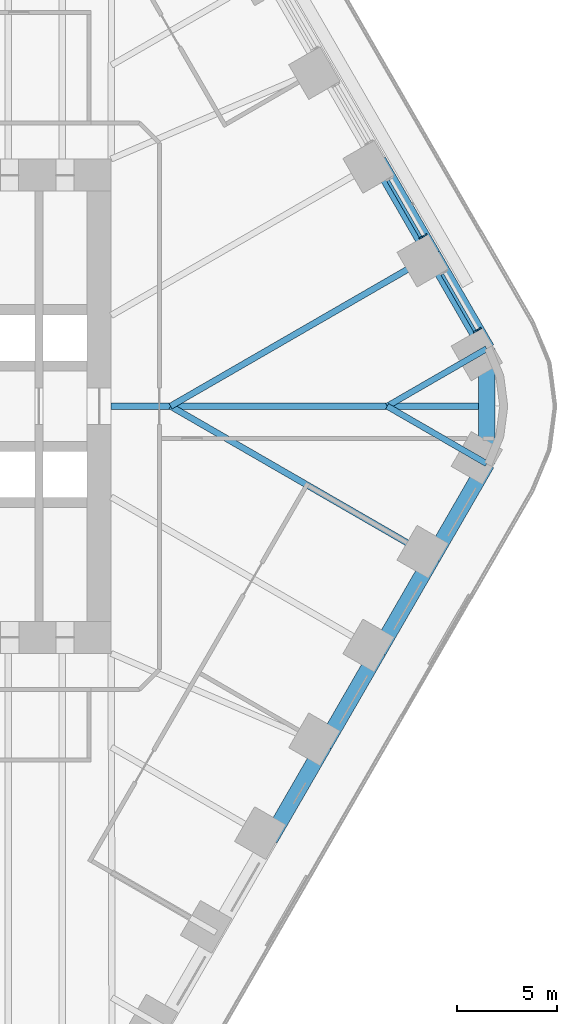
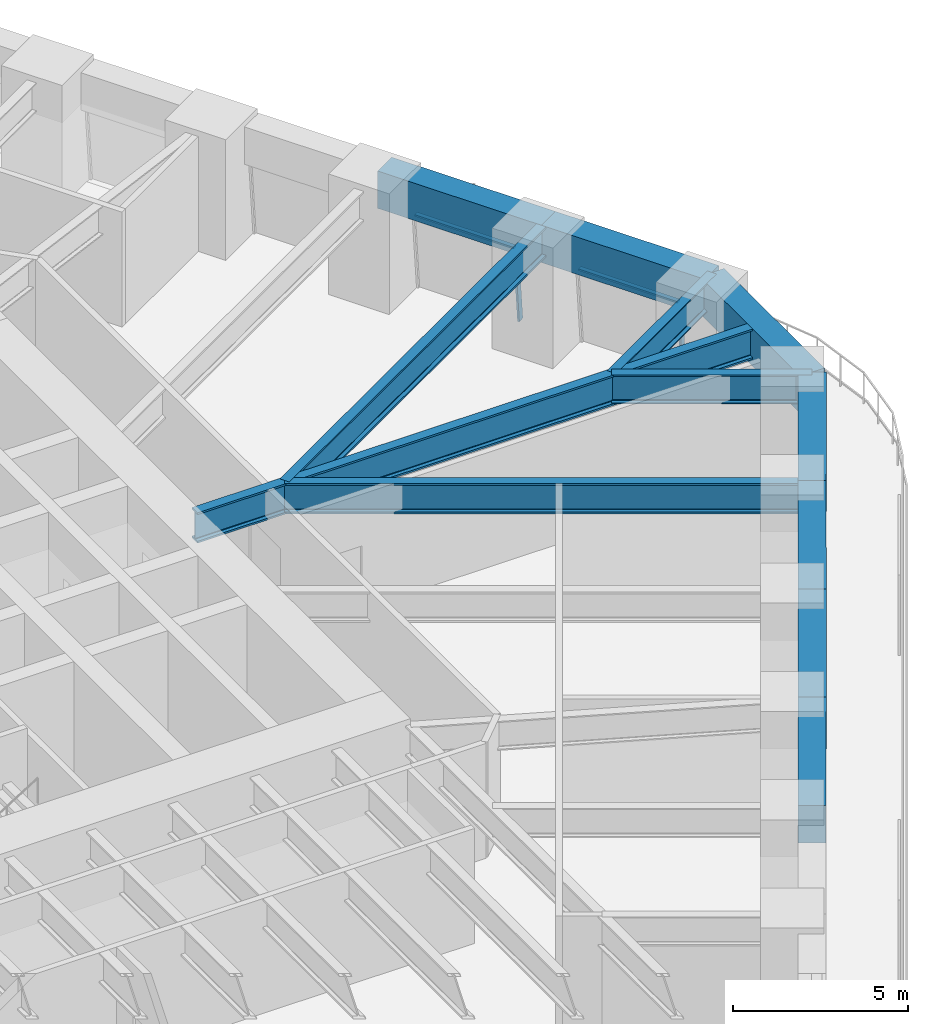
# One storey, part 12 of 23: 12 beams, 4 members, 2 elements without a shape of their own.
"""IFC4 building model written with IfcOpenShell, lengths in metres."""

from ifc_helpers import new_model, si_unit, direction, frame, origin, origin_2d, place, context, subcontext, project, spatial, rectangle, i_section, extrude, material, material_profile, profile_set, type_object, element, aggregate, save


model = new_model("IFC4")

# Units and contexts
model_context = context("Model", 3, precision=1e-05, world=origin(), true_north=direction((0.0, 1.0)))
body_context = subcontext(model_context, "Body", "Model", "MODEL_VIEW")
ifc_project = project(units=[si_unit("LENGTHUNIT", "METRE"), si_unit("AREAUNIT", "SQUARE_METRE"), si_unit("VOLUMEUNIT", "CUBIC_METRE"), si_unit("PLANEANGLEUNIT", "RADIAN"), si_unit("MASSUNIT", "GRAM", prefix="KILO")], contexts=[model_context])

# Site, building, storey
site_placement = place(None, origin())
site = spatial("IfcSite", under=ifc_project, at=site_placement, CompositionType="ELEMENT")
building_placement = place(site_placement, origin())
building = spatial("IfcBuilding", under=site, at=building_placement, Name="Tarfa Lantern Tower", CompositionType="ELEMENT")
storey_placement = place(building_placement, frame((0.0, 0.0, 57.10009765625)))
storey = spatial("IfcBuildingStorey", under=building, at=storey_placement, Name="L12", CompositionType="ELEMENT", Elevation=57.10009765625)

# Curtain wall, member
ifc_material_1 = material(Name="Aluminium framed curtain wall", Category="aluminium")
curtain_wall_type = type_object("IfcCurtainWallType", Name="CW1 CANTED GLAZING LOW ZONE 2700", PredefinedType="USERDEFINED", material=ifc_material_1)
curtain_wall_1_placement = place(storey_placement, origin())
curtain_wall_1 = element("IfcCurtainWall", 1, at=curtain_wall_1_placement, inside=storey, type_object=curtain_wall_type, Name="CW1 NE L12", ObjectType="CURTAIN WALL", PredefinedType="USERDEFINED")
ifc_material_2 = material(Name="Aluminium mullion", Category="aluminium")
ifc_material_profile_1 = material_profile(ifc_material_2, rectangle(XDim=0.06494140625, YDim=0.199951171875, at=origin_2d()), Name="AL MULLION 65x200")
ifc_profile_set_1 = profile_set([ifc_material_profile_1], Name="Aluminium mullion")
member_type_1 = type_object("IfcMemberType", Name="CWM1 MULLION 65x200", PredefinedType="MULLION", material=ifc_profile_set_1)
member_1_placement = place(storey_placement, frame((36.9248046875, 3.84423828125, 0.0), z_axis=(-0.079774955866, -0.04610020023, 0.995746317068), x_axis=(0.500342721131, -0.865827443207, 0.0)))
member_1 = element("IfcMember", 2, at=member_1_placement, type_object=member_type_1, Name="CW1 mullion 1", PredefinedType="MULLION", context=body_context, shape_type="SweptSolid", body=[
    extrude(rectangle(XDim=0.06494140625, YDim=0.199951171875, at=origin_2d()), origin(), (0.0, 0.0, 1.0), 2.71142578125),
])

curtain_wall_2_placement = place(storey_placement, origin())
curtain_wall_2 = element("IfcCurtainWall", 3, at=curtain_wall_2_placement, inside=storey, type_object=curtain_wall_type, Name="CW1 NE L12", ObjectType="CURTAIN WALL", PredefinedType="USERDEFINED")
member_2_placement = place(storey_placement, frame((34.230712890625, 8.5107421875, 0.0), z_axis=(-0.07986442134, -0.046099868913, 0.99573916077), x_axis=(0.499919672301, -0.866071776036, 0.0)))
member_2 = element("IfcMember", 4, at=member_2_placement, type_object=member_type_1, Name="CW1 mullion 1", PredefinedType="MULLION", context=body_context, shape_type="SweptSolid", body=[
    extrude(rectangle(XDim=0.06494140625, YDim=0.199951171875, at=origin_2d()), origin(), (0.0, 0.0, 1.0), 2.71142578125),
])

# Member
ifc_material_3 = material(Name="Aluminium transom", Category="aluminium")
ifc_material_profile_2 = material_profile(ifc_material_3, rectangle(XDim=0.14990234375, YDim=0.06494140625, at=origin_2d()), Name="AL TRANSOM 150x65")
ifc_profile_set_2 = profile_set([ifc_material_profile_2], Name="Aluminium transom")
member_type_2 = type_object("IfcMemberType", Name="CWT1 TRANSOM 150x65", PredefinedType="USERDEFINED", material=ifc_profile_set_2)
member_3_placement = place(storey_placement, frame((36.69482421875, 3.748779296875, 2.66748046875), z_axis=(-0.500022939057, 0.866012159509, 0.0), x_axis=(-0.866012159509, -0.500022939057, 0.0)))
member_3 = element("IfcMember", 5, at=member_3_placement, type_object=member_type_2, Name="CW1 transom 1.2", ObjectType="TRANSOM", PredefinedType="USERDEFINED", context=body_context, shape_type="SweptSolid", body=[
    extrude(rectangle(XDim=0.14990234375, YDim=0.06494140625, at=origin_2d()), origin(), (0.0, 0.0, 1.0), 3.258544921875),
])

aggregate(curtain_wall_1, [member_1, member_3])

member_4_placement = place(storey_placement, frame((34.00048828125, 8.41552734375, 2.66748046875), z_axis=(-0.500022939057, 0.866012159509, 0.0), x_axis=(-0.866012159509, -0.500022939057, 0.0)))
member_4 = element("IfcMember", 6, at=member_4_placement, type_object=member_type_2, Name="CW1 transom 1.2", ObjectType="TRANSOM", PredefinedType="USERDEFINED", context=body_context, shape_type="SweptSolid", body=[
    extrude(rectangle(XDim=0.14990234375, YDim=0.06494140625, at=origin_2d()), origin(), (0.0, 0.0, 1.0), 3.258544921875),
])

aggregate(curtain_wall_2, [member_2, member_4])

# Beams
ifc_material_4 = material(Name="Concrete C80/95", Category="concrete")
ifc_material_profile_3 = material_profile(ifc_material_4, rectangle(XDim=0.800048828125, YDim=1.300048828125, at=origin_2d()), Name="RC 800x1300")
ifc_profile_set_3 = profile_set([ifc_material_profile_3], Name="Concrete C80/95")
beam_type_1 = type_object("IfcBeamType", Name="EB1 RC 800x1300", PredefinedType="SPANDREL", material=ifc_profile_set_3)
beam_1_placement = place(storey_placement, frame((37.285400390625, 2.860107421875, 3.349853515625), z_axis=(-0.500017906299, 0.866015065331, 0.0), x_axis=(-0.866015065331, -0.500017906299, 0.0)))
element("IfcBeam", 7, at=beam_1_placement, inside=storey, type_object=beam_type_1, Name="Edge beam NE0", PredefinedType="SPANDREL", context=body_context, shape_type="SweptSolid", body=[
    extrude(rectangle(XDim=0.800048828125, YDim=1.300048828125, at=origin_2d()), origin(), (0.0, 0.0, 1.0), 5.388427734375),
])
beam_2_placement = place(storey_placement, frame((34.591064453125, 7.526611328125, 3.349853515625), z_axis=(-0.499998287579, 0.866026392449, 0.0), x_axis=(-0.866026392449, -0.499998287579, 0.0)))
element("IfcBeam", 8, at=beam_2_placement, inside=storey, type_object=beam_type_1, Name="Edge beam NE1", PredefinedType="SPANDREL", context=body_context, shape_type="SweptSolid", body=[
    extrude(rectangle(XDim=0.800048828125, YDim=1.300048828125, at=origin_2d()), origin(), (0.0, 0.0, 1.0), 5.388671875),
])
beam_3_placement = place(storey_placement, frame((26.508056640625, -21.526611328125, 3.349853515625), z_axis=(0.500017906299, 0.866015065331, 0.0), x_axis=(-0.866015065331, 0.500017906299, 0.0)))
element("IfcBeam", 9, at=beam_3_placement, inside=storey, type_object=beam_type_1, Name="Edge beam SE2", PredefinedType="SPANDREL", context=body_context, shape_type="SweptSolid", body=[
    extrude(rectangle(XDim=0.800048828125, YDim=1.300048828125, at=origin_2d()), origin(), (0.0, 0.0, 1.0), 5.388427734375),
])
for number, where, z_axis, x_axis, name in (
    (10, (29.202392578125, -16.860107421875, 3.349853515625), (0.499998287579, 0.866026392449, 0.0), (-0.866026392449, 0.499998287579, 0.0), "Edge beam SE3"),
    (11, (31.896728515625, -12.193359375, 3.349853515625), (0.499998287579, 0.866026392449, 0.0), (-0.866026392449, 0.499998287579, 0.0), "Edge beam SE4"),
):
    element("IfcBeam", number, at=place(storey_placement, frame(where, z_axis=z_axis, x_axis=x_axis)), inside=storey, type_object=beam_type_1, Name=name, PredefinedType="SPANDREL", context=body_context, shape_type="SweptSolid", body=[
        extrude(rectangle(XDim=0.800048828125, YDim=1.300048828125, at=origin_2d()), origin(), (0.0, 0.0, 1.0), 5.388671875),
    ])
beam_4_placement = place(storey_placement, frame((34.591064453125, -7.526611328125, 3.349853515625), z_axis=(0.500017906299, 0.866015065331, 0.0), x_axis=(-0.866015065331, 0.500017906299, 0.0)))
element("IfcBeam", 12, at=beam_4_placement, inside=storey, type_object=beam_type_1, Name="Edge beam SE5", PredefinedType="SPANDREL", context=body_context, shape_type="SweptSolid", body=[
    extrude(rectangle(XDim=0.800048828125, YDim=1.300048828125, at=origin_2d()), origin(), (0.0, 0.0, 1.0), 5.388427734375),
])
beam_5_placement = place(storey_placement, frame((37.285400390625, -2.860107421875, 3.349853515625), z_axis=(0.0, 1.0, 0.0), x_axis=(-1.0, 0.0, 0.0)))
element("IfcBeam", 13, at=beam_5_placement, inside=storey, type_object=beam_type_1, Name="Edge beam SE6", PredefinedType="SPANDREL", context=body_context, shape_type="SweptSolid", body=[
    extrude(rectangle(XDim=0.800048828125, YDim=1.300048828125, at=origin_2d()), origin(), (0.0, 0.0, 1.0), 5.72021484375),
])
ifc_material_5 = material(Name="Steel S460M", Category="steel")
ifc_material_profile_4 = material_profile(ifc_material_5, i_section(OverallWidth=0.302001953125, OverallDepth=1.008056640625, WebThickness=0.02099609375, FlangeThickness=0.0400390625, FilletRadius=0.030029296875, at=origin_2d()), Name="UB1016x305x349")
ifc_profile_set_4 = profile_set([ifc_material_profile_4], Name="Steel S460M")
beam_type_2 = type_object("IfcBeamType", Name="UB1016x305x349", PredefinedType="BEAM", material=ifc_profile_set_4)
for number, where, z_axis, x_axis, name in (
    (14, (37.285400390625, 2.860107421875, 3.495849609375), (-0.866025668288, -0.499999541866, 0.0), (0.499999541866, -0.866025668288, 0.0), "Floor beam NE0"),
    (15, (37.285400390625, -2.860107421875, 3.495849609375), (-0.866025668288, 0.499999541866, 0.0), (-0.499999541866, -0.866025668288, 0.0), "Floor beam SE6"),
):
    element("IfcBeam", number, at=place(storey_placement, frame(where, z_axis=z_axis, x_axis=x_axis)), inside=storey, type_object=beam_type_2, Name=name, PredefinedType="BEAM", context=body_context, shape_type="SweptSolid", body=[
        extrude(i_section(OverallWidth=0.302001953125, OverallDepth=1.008056640625, WebThickness=0.02099609375, FlangeThickness=0.0400390625, FilletRadius=0.030029296875, at=origin_2d()), origin(), (0.0, 0.0, 1.0), 5.72021484375),
    ])
ifc_material_profile_5 = material_profile(ifc_material_5, i_section(OverallWidth=0.314208984375, OverallDepth=1.055908203125, WebThickness=0.035888671875, FlangeThickness=0.06396484375, FilletRadius=0.030029296875, at=origin_2d()), Name="UB1016x305x584")
ifc_profile_set_5 = profile_set([ifc_material_profile_5], Name="Steel S460M")
beam_type_3 = type_object("IfcBeamType", Name="UB1016x305x584", PredefinedType="BEAM", material=ifc_profile_set_5)
beam_6_placement = place(storey_placement, frame((18.60009765625, 0.0, 3.471923828125), z_axis=(1.0, 0.0, 0.0), x_axis=(0.0, 1.0, 0.0)))
element("IfcBeam", 16, at=beam_6_placement, inside=storey, type_object=beam_type_3, Name="Hip girder E", PredefinedType="BEAM", context=body_context, shape_type="SweptSolid", body=[
    extrude(i_section(OverallWidth=0.314208984375, OverallDepth=1.055908203125, WebThickness=0.035888671875, FlangeThickness=0.06396484375, FilletRadius=0.030029296875, at=origin_2d()), origin(), (0.0, 0.0, 1.0), 18.685302734375),
])
for number, where, z_axis, x_axis, name in (
    (17, (34.591064453125, 7.526611328125, 3.471923828125), (-0.86602785945, -0.499995746638, 0.0), (0.499995746638, -0.86602785945, 0.0), "Floor beam NE1"),
    (18, (34.591064453125, -7.526611328125, 3.471923828125), (-0.86602785945, 0.499995746638, 0.0), (-0.499995746638, -0.86602785945, 0.0), "Floor beam SE5"),
):
    element("IfcBeam", number, at=place(storey_placement, frame(where, z_axis=z_axis, x_axis=x_axis)), inside=storey, type_object=beam_type_3, Name=name, PredefinedType="BEAM", context=body_context, shape_type="SweptSolid", body=[
        extrude(i_section(OverallWidth=0.314208984375, OverallDepth=1.055908203125, WebThickness=0.035888671875, FlangeThickness=0.06396484375, FilletRadius=0.030029296875, at=origin_2d()), origin(), (0.0, 0.0, 1.0), 15.053466796875),
    ])

save(model, "model.ifc")
